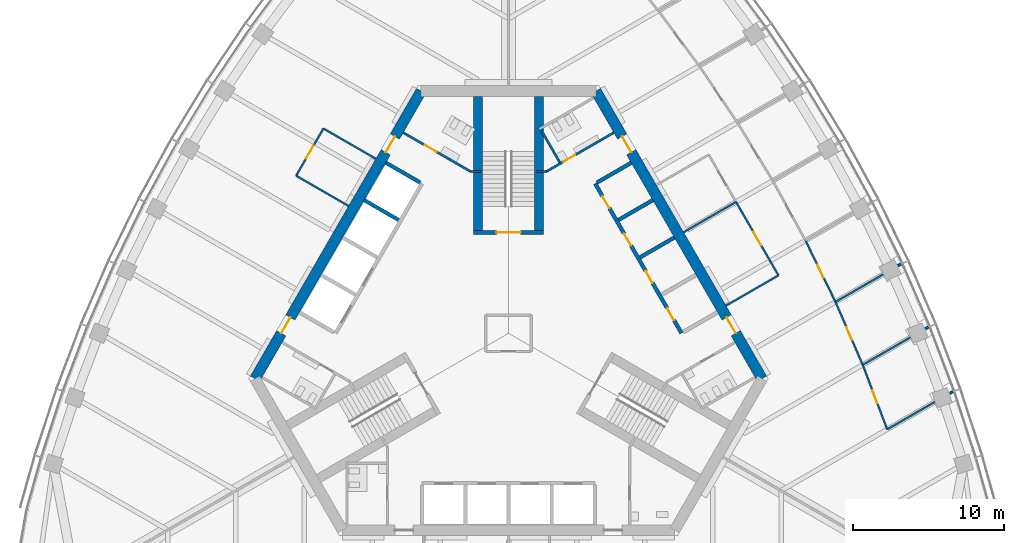
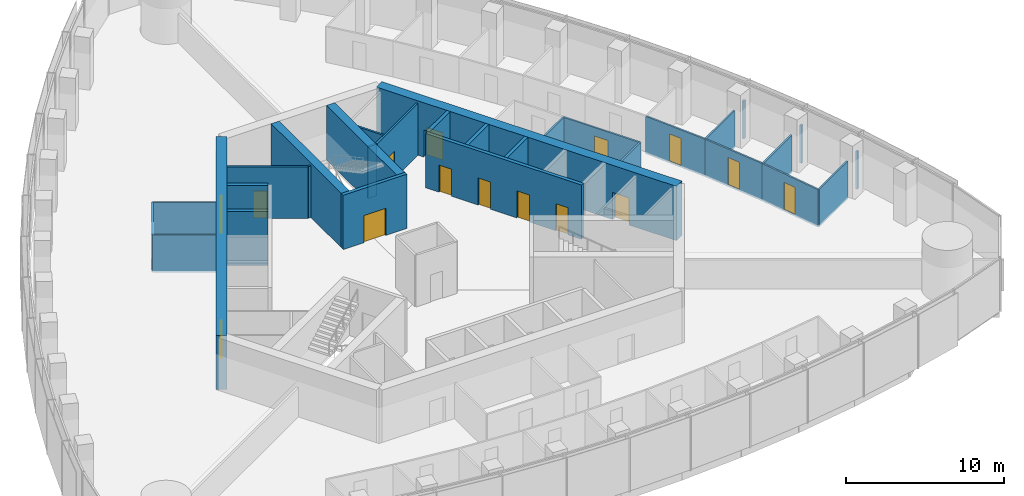
# One storey, part 13 of 19: 31 walls, 16 doors, 16 openings.
"""IFC4 building model written with IfcOpenShell, lengths in metres."""

import ifcopenshell
import ifcopenshell.guid

model = None  # the IFC model being written
_history = None  # IfcOwnerHistory: only IFC2X3 demands one
_inside = {}  # id of a spatial element -> (the spatial element, [elements in it])
_under = {}  # id of a project, library or spatial element -> (it, [spatial elements below it])
_declared = {}  # id of a project -> (the project, [libraries it declares])
_typed = {}  # id of a type object -> (the type object, [elements of that type])
_made_of = {}  # id of a material, layer set ... -> (it, [elements and type objects made of it])


def new_model(schema):
    """Start an empty IFC model of exactly this schema.

    Asked for "IFC4X3", IfcOpenShell would pick the latest addendum, in which some entities
    have other attributes; the version numbers below select the first issue.
    IFC2X3 requires an IfcOwnerHistory on every rooted entity: one is made here for all.
    """
    global model, _history
    if schema == "IFC4X3":
        model = ifcopenshell.file(schema_version=(4, 3, 0, 0))
    else:
        model = ifcopenshell.file(schema=schema)
    _inside.clear()
    _under.clear()
    _declared.clear()
    _typed.clear()
    _made_of.clear()
    _history = None
    if model.schema == "IFC2X3":
        org = make("IfcOrganization", Name="unknown")
        user = make(
            "IfcPersonAndOrganization",
            ThePerson=make("IfcPerson", FamilyName="unknown"),
            TheOrganization=org,
        )
        app = make(
            "IfcApplication",
            ApplicationDeveloper=org,
            Version="unknown",
            ApplicationFullName="unknown",
            ApplicationIdentifier="unknown",
        )
        _history = make(
            "IfcOwnerHistory",
            OwningUser=user,
            OwningApplication=app,
            ChangeAction="ADDED",
            CreationDate=0,
        )
    return model


def make(cls, **values):
    """One entity of the class cls with the attributes given. An attribute that is None is left unset."""
    return model.create_entity(
        cls, **{name: value for name, value in values.items() if value is not None}
    )


def rooted(cls, **values):
    """An entity with a GlobalId (a new one), such as an element, a storey or a relation."""
    return make(cls, GlobalId=ifcopenshell.guid.new(), OwnerHistory=_history, **values)


def si_unit(unit_type, name, prefix=None):
    """IfcSIUnit, for example si_unit("LENGTHUNIT", "METRE", prefix="MILLI")."""
    return make("IfcSIUnit", UnitType=unit_type, Prefix=prefix, Name=name)


def assignment(units):
    """IfcUnitAssignment: the units of a project."""
    return None if units is None else make("IfcUnitAssignment", Units=units)


def point(xyz):
    """IfcCartesianPoint."""
    return None if xyz is None else make("IfcCartesianPoint", Coordinates=xyz)


def direction(xyz):
    """IfcDirection."""
    return None if xyz is None else make("IfcDirection", DirectionRatios=xyz)


def frame(location, z_axis=None, x_axis=None):
    """IfcAxis2Placement3D, a coordinate frame: its origin and axes. An axis left out is left unset."""
    return make(
        "IfcAxis2Placement3D",
        Location=point(location),
        Axis=direction(z_axis),
        RefDirection=direction(x_axis),
    )


def frame_2d(location, x_axis=None):
    """IfcAxis2Placement2D, a coordinate frame in the plane: its origin and x axis."""
    return make(
        "IfcAxis2Placement2D", Location=point(location), RefDirection=direction(x_axis)
    )


def origin():
    """The frame at (0, 0, 0) with its axes left unset."""
    return frame((0.0, 0.0, 0.0))


def place(relative_to, where):
    """IfcLocalPlacement: puts the frame where relative to a parent placement (None: the world)."""
    return make(
        "IfcLocalPlacement", PlacementRelTo=relative_to, RelativePlacement=where
    )


def context(
    kind, dimensions, precision=None, world=None, true_north=None, identifier=None
):
    """IfcGeometricRepresentationContext, for example the 3D "Model" context."""
    return make(
        "IfcGeometricRepresentationContext",
        ContextIdentifier=identifier,
        ContextType=kind,
        CoordinateSpaceDimension=dimensions,
        Precision=precision,
        WorldCoordinateSystem=world,
        TrueNorth=true_north,
    )


def subcontext(parent, identifier, kind, view, scale=None):
    """IfcGeometricRepresentationSubContext, for example "Body" below "Model"."""
    return make(
        "IfcGeometricRepresentationSubContext",
        ContextIdentifier=identifier,
        ContextType=kind,
        ParentContext=parent,
        TargetScale=scale,
        TargetView=view,
    )


def project(units=None, contexts=None):
    """IfcProject with its units and contexts."""
    return rooted(
        "IfcProject",
        Name="project",
        RepresentationContexts=contexts,
        UnitsInContext=assignment(units),
    )


def spatial(cls, under=None, at=None, **own):
    """A site, building, storey or space (cls), placed at a placement, below another one or the project."""
    s = rooted(cls, ObjectPlacement=at, **own)
    if under is not None:
        _under.setdefault(under.id(), (under, []))[1].append(s)
    return s


def profile(cls, at=None, kind="AREA", **sizes):
    """A parametric profile (cls). Its sizes go by their IFC names, for example OverallWidth=200.0."""
    return make(cls, ProfileType=kind, Position=at, **sizes)


def rectangle(**sizes):
    """IfcRectangleProfileDef."""
    return profile("IfcRectangleProfileDef", **sizes)


def extrude(swept, where, along, depth):
    """IfcExtrudedAreaSolid: the profile swept, set in the frame where, extruded along a direction by depth."""
    return make(
        "IfcExtrudedAreaSolid",
        SweptArea=swept,
        Position=where,
        ExtrudedDirection=direction(along),
        Depth=depth,
    )


def shape(context_of_items, identifier, shape_type, items):
    """IfcShapeRepresentation: the items that make up one representation, for example the "Body"."""
    return make(
        "IfcShapeRepresentation",
        ContextOfItems=context_of_items,
        RepresentationIdentifier=identifier,
        RepresentationType=shape_type,
        Items=items,
    )


def material(Name=None, Category=None):
    """IfcMaterial."""
    return make("IfcMaterial", Name=Name, Category=Category)


def layer(
    of_material, thickness, ventilated=None, Name=None, Category=None, Priority=None
):
    """IfcMaterialLayer: one layer of a wall or slab, of a material (None: an air gap)."""
    return make(
        "IfcMaterialLayer",
        Material=of_material,
        LayerThickness=thickness,
        IsVentilated=ventilated,
        Name=Name,
        Category=Category,
        Priority=Priority,
    )


def layer_set(layers, Name=None):
    """IfcMaterialLayerSet."""
    return make("IfcMaterialLayerSet", MaterialLayers=layers, LayerSetName=Name)


def made_of(thing, what):
    """Note that an element or type object is made of a material, layer set ...; save() writes the relation."""
    if what is not None:
        _made_of.setdefault(what.id(), (what, []))[1].append(thing)
    return thing


def type_object(cls, material=None, **own):
    """A type object (cls), such as IfcWallType, which elements share."""
    return made_of(rooted(cls, **own), material)


def element(
    cls,
    number,
    at=None,
    inside=None,
    cuts=None,
    type_object=None,
    material=None,
    context=None,
    identifier="Body",
    shape_type=None,
    held_by="IfcProductDefinitionShape",
    body=None,
    shapes=None,
    **own,
):
    """One element of the class cls, such as IfcWall. Its Tag is "e" and its number.

    at: its placement. inside: the storey or other place that contains it. cuts: it is an
    opening in that element (IfcRelVoidsElement). A single representation is given by context,
    identifier, shape_type and body (its items); several are given by shapes. held_by: the class
    of the entity that holds the representations. save() writes the other relations.
    """
    e = rooted(cls, Tag="e%d" % number, ObjectPlacement=at, **own)
    if body is not None:
        shapes = [shape(context, identifier, shape_type, body)]
    if shapes is not None:
        e.Representation = make(held_by, Representations=shapes)
    if inside is not None:
        _inside.setdefault(inside.id(), (inside, []))[1].append(e)
    if cuts is not None:
        rooted(
            "IfcRelVoidsElement", RelatingBuildingElement=cuts, RelatedOpeningElement=e
        )
    if type_object is not None:
        _typed.setdefault(type_object.id(), (type_object, []))[1].append(e)
    return made_of(e, material)


def fill(opening, filler):
    """IfcRelFillsElement: the door or window that sits in an opening."""
    return rooted(
        "IfcRelFillsElement",
        RelatingOpeningElement=opening,
        RelatedBuildingElement=filler,
    )


def aggregate(whole, parts):
    """IfcRelAggregates: a whole, such as a stair, and the parts it consists of."""
    return rooted("IfcRelAggregates", RelatingObject=whole, RelatedObjects=parts)


def save(model, path):
    """Write the relations noted so far, then the file.

    IfcRelAggregates (storeys below a building ...), IfcRelContainedInSpatialStructure (elements
    in a storey), IfcRelDefinesByType, IfcRelAssociatesMaterial and IfcRelDeclares: one each for
    every whole, place, type object, material and project.
    """
    for whole, parts in _under.values():
        aggregate(whole, parts)
    for where, things in _inside.values():
        rooted(
            "IfcRelContainedInSpatialStructure",
            RelatedElements=things,
            RelatingStructure=where,
        )
    for kind, things in _typed.values():
        rooted("IfcRelDefinesByType", RelatedObjects=things, RelatingType=kind)
    for what, things in _made_of.values():
        rooted("IfcRelAssociatesMaterial", RelatedObjects=things, RelatingMaterial=what)
    for by, libraries in _declared.values():
        rooted("IfcRelDeclares", RelatingContext=by, RelatedDefinitions=libraries)
    model.write(path)


model = new_model("IFC4")

# Units and contexts
model_context = context("Model", 3, precision=1e-05, world=origin(), true_north=direction((0.0, 1.0)))
body_context = subcontext(model_context, "Body", "Model", "MODEL_VIEW")
ifc_project = project(units=[si_unit("LENGTHUNIT", "METRE"), si_unit("AREAUNIT", "SQUARE_METRE"), si_unit("VOLUMEUNIT", "CUBIC_METRE"), si_unit("PLANEANGLEUNIT", "RADIAN"), si_unit("MASSUNIT", "GRAM", prefix="KILO")], contexts=[model_context])

# Site, building, storey
site_placement = place(None, origin())
site = spatial("IfcSite", under=ifc_project, at=site_placement, CompositionType="ELEMENT")
building_placement = place(site_placement, origin())
building = spatial("IfcBuilding", under=site, at=building_placement, Name="Trefoil Bronze Tower", CompositionType="ELEMENT")
storey_placement = place(building_placement, frame((0.0, 0.0, 235.89990234375)))
storey = spatial("IfcBuildingStorey", under=building, at=storey_placement, Name="L54", CompositionType="ELEMENT", Elevation=235.89990234375)

# Wall, openings, doors
ifc_material_1 = material(Name="Concrete B80", Category="concrete")
ifc_layer_1 = layer(ifc_material_1, 0.699951171875)
ifc_layer_set_1 = layer_set([ifc_layer_1], Name="Core wall 700")
wall_type_1 = type_object("IfcWallType", Name="Core wall 700", PredefinedType="SHEAR", material=ifc_layer_set_1)
wall_1_placement = place(storey_placement, frame((16.7431640625, -3.0, 0.0), z_axis=(0.0, 0.0, 1.0), x_axis=(-0.500002442456, 0.866023993627, 0.0)))
wall_1 = element("IfcWall", 1, at=wall_1_placement, inside=storey, type_object=wall_type_1, Name="Core long wall 2 L54", PredefinedType="SHEAR", context=body_context, shape_type="SweptSolid", body=[
    extrude(rectangle(XDim=21.939453125, YDim=0.699951171875, at=frame_2d((10.9697265625, 0.0))), origin(), (0.0, 0.0, 1.0), 4.2001953125),
])
opening_1_placement = place(wall_1_placement, frame((17.269775390625, 0.0, 0.0)))
opening_1 = element("IfcOpeningElement", 2, at=opening_1_placement, cuts=wall_1, Name="Opening D2", PredefinedType="OPENING", context=body_context, shape_type="SweptSolid", body=[
    extrude(rectangle(XDim=1.199951171875, YDim=2.10009765625, at=frame_2d((0.60009765625, 1.050048828125))), frame((0.0, 0.35986328125, 0.0), z_axis=(0.0, -1.0, 0.0), x_axis=(1.0, 0.0, 0.0)), (0.0, 0.0, 1.0), 0.719970703125),
])
opening_2_placement = place(wall_1_placement, frame((3.4697265625, 0.0, 0.0)))
opening_2 = element("IfcOpeningElement", 3, at=opening_2_placement, cuts=wall_1, Name="Opening D2", PredefinedType="OPENING", context=body_context, shape_type="SweptSolid", body=[
    extrude(rectangle(XDim=1.199951171875, YDim=2.10009765625, at=frame_2d((0.60009765625, 1.050048828125))), frame((0.0, 0.35986328125, 0.0), z_axis=(0.0, -1.0, 0.0), x_axis=(1.0, 0.0, 0.0)), (0.0, 0.0, 1.0), 0.719970703125),
])
ifc_material_2 = material(Name="Steel door", Category="steel")
door_type_1 = type_object("IfcDoorType", Name="Lobby door 1200", OperationType="SINGLE_SWING_RIGHT", PredefinedType="DOOR", material=ifc_material_2)
door_1_placement = place(opening_1_placement, origin())
door_1 = element("IfcDoor", 4, at=door_1_placement, inside=storey, type_object=door_type_1, Name="Lobby door F2+ L54", OperationType="SINGLE_SWING_RIGHT", OverallHeight=2.10009765625, OverallWidth=1.199951171875, PredefinedType="DOOR", context=body_context, shape_type="SweptSolid", body=[
    extrude(rectangle(XDim=1.199951171875, YDim=2.10009765625, at=frame_2d((0.60009765625, 1.050048828125))), frame((0.0, 0.02490234375, 0.0), z_axis=(0.0, -1.0, 0.0), x_axis=(1.0, 0.0, 0.0)), (0.0, 0.0, 1.0), 0.050048828125),
])
fill(opening_1, door_1)
door_2_placement = place(opening_2_placement, origin())
door_2 = element("IfcDoor", 5, at=door_2_placement, inside=storey, type_object=door_type_1, Name="Lobby door F2- L54", OperationType="SINGLE_SWING_LEFT", OverallHeight=2.10009765625, OverallWidth=1.199951171875, PredefinedType="DOOR", context=body_context, shape_type="SweptSolid", body=[
    extrude(rectangle(XDim=1.199951171875, YDim=2.10009765625, at=frame_2d((0.60009765625, 1.050048828125))), frame((0.0, 0.02490234375, 0.0), z_axis=(0.0, -1.0, 0.0), x_axis=(1.0, 0.0, 0.0)), (0.0, 0.0, 1.0), 0.050048828125),
])
fill(opening_2, door_2)

wall_2_placement = place(storey_placement, frame((-5.7734375, 16.0, 0.0), z_axis=(0.0, 0.0, 1.0), x_axis=(-0.500002442456, -0.866023993627, 0.0)))
wall_2 = element("IfcWall", 6, at=wall_2_placement, inside=storey, type_object=wall_type_1, Name="Core long wall 3 L54", PredefinedType="SHEAR", context=body_context, shape_type="SweptSolid", body=[
    extrude(rectangle(XDim=21.939453125, YDim=0.699951171875, at=frame_2d((10.9697265625, 0.0))), origin(), (0.0, 0.0, 1.0), 4.2001953125),
])
opening_3_placement = place(wall_2_placement, frame((17.269775390625, 0.0, 0.0)))
opening_3 = element("IfcOpeningElement", 7, at=opening_3_placement, cuts=wall_2, Name="Opening D2", PredefinedType="OPENING", context=body_context, shape_type="SweptSolid", body=[
    extrude(rectangle(XDim=1.199951171875, YDim=2.10009765625, at=frame_2d((0.60009765625, 1.050048828125))), frame((0.0, 0.35986328125, 0.0), z_axis=(0.0, -1.0, 0.0), x_axis=(1.0, 0.0, 0.0)), (0.0, 0.0, 1.0), 0.719970703125),
])
opening_4_placement = place(wall_2_placement, frame((3.4697265625, 0.0, 0.0)))
opening_4 = element("IfcOpeningElement", 8, at=opening_4_placement, cuts=wall_2, Name="Opening D2", PredefinedType="OPENING", context=body_context, shape_type="SweptSolid", body=[
    extrude(rectangle(XDim=1.199951171875, YDim=2.10009765625, at=frame_2d((0.60009765625, 1.050048828125))), frame((0.0, 0.35986328125, 0.0), z_axis=(0.0, -1.0, 0.0), x_axis=(1.0, 0.0, 0.0)), (0.0, 0.0, 1.0), 0.719970703125),
])
door_3_placement = place(opening_3_placement, origin())
door_3 = element("IfcDoor", 9, at=door_3_placement, inside=storey, type_object=door_type_1, Name="Lobby door F3+ L54", OperationType="SINGLE_SWING_RIGHT", OverallHeight=2.10009765625, OverallWidth=1.199951171875, PredefinedType="DOOR", context=body_context, shape_type="SweptSolid", body=[
    extrude(rectangle(XDim=1.199951171875, YDim=2.10009765625, at=frame_2d((0.60009765625, 1.050048828125))), frame((0.0, 0.02490234375, 0.0), z_axis=(0.0, -1.0, 0.0), x_axis=(1.0, 0.0, 0.0)), (0.0, 0.0, 1.0), 0.050048828125),
])
fill(opening_3, door_3)
door_4_placement = place(opening_4_placement, origin())
door_4 = element("IfcDoor", 10, at=door_4_placement, inside=storey, type_object=door_type_1, Name="Lobby door F3- L54", OperationType="SINGLE_SWING_LEFT", OverallHeight=2.10009765625, OverallWidth=1.199951171875, PredefinedType="DOOR", context=body_context, shape_type="SweptSolid", body=[
    extrude(rectangle(XDim=1.199951171875, YDim=2.10009765625, at=frame_2d((0.60009765625, 1.050048828125))), frame((0.0, 0.02490234375, 0.0), z_axis=(0.0, -1.0, 0.0), x_axis=(1.0, 0.0, 0.0)), (0.0, 0.0, 1.0), 0.050048828125),
])
fill(opening_4, door_4)

# Wall, opening, door
ifc_material_3 = material(Name="Glazed partition", Category="glass")
ifc_layer_2 = layer(ifc_material_3, 0.1201171875)
ifc_layer_set_2 = layer_set([ifc_layer_2], Name="Glazed partition 120")
wall_type_2 = type_object("IfcWallType", Name="Glazed partition 120", PredefinedType="PARTITIONING", material=ifc_layer_set_2)
wall_3_placement = place(storey_placement, frame((17.825439453125, 3.8251953125, 0.0), z_axis=(0.0, 0.0, 1.0), x_axis=(-0.499965239061, 0.866045472092, 0.0)))
wall_3 = element("IfcWall", 11, at=wall_3_placement, inside=storey, type_object=wall_type_2, Name="Partition F2 L54", PredefinedType="PARTITIONING", context=body_context, shape_type="SweptSolid", body=[
    extrude(rectangle(XDim=5.60009765625, YDim=0.1201171875, at=frame_2d((2.800048828125, 0.0))), origin(), (0.0, 0.0, 1.0), 2.900146484375),
])
opening_5_placement = place(wall_3_placement, frame((2.300048828125, 0.0, 0.14990234375)))
opening_5 = element("IfcOpeningElement", 12, at=opening_5_placement, cuts=wall_3, Name="Opening D9", PredefinedType="OPENING", context=body_context, shape_type="SweptSolid", body=[
    extrude(rectangle(XDim=1.0, YDim=2.10009765625, at=frame_2d((0.5, 1.050048828125))), frame((0.0, 0.070068359375, 0.0), z_axis=(0.0, -1.0, 0.0), x_axis=(1.0, 0.0, 0.0)), (0.0, 0.0, 1.0), 0.14013671875),
])
ifc_material_4 = material(Name="Glazed timber door", Category="wood")
door_type_2 = type_object("IfcDoorType", Name="Meeting room door 1000", OperationType="SINGLE_SWING_LEFT", PredefinedType="DOOR", material=ifc_material_4)
door_5_placement = place(opening_5_placement, origin())
door_5 = element("IfcDoor", 13, at=door_5_placement, inside=storey, type_object=door_type_2, Name="Meeting room door F2 L54", OperationType="SINGLE_SWING_RIGHT", OverallHeight=2.10009765625, OverallWidth=1.0, PredefinedType="DOOR", context=body_context, shape_type="SweptSolid", body=[
    extrude(rectangle(XDim=1.0, YDim=2.10009765625, at=frame_2d((0.5, 1.050048828125))), frame((0.0, 0.02490234375, 0.0), z_axis=(0.0, -1.0, 0.0), x_axis=(1.0, 0.0, 0.0)), (0.0, 0.0, 1.0), 0.050048828125),
])
fill(opening_5, door_5)

# Walls
for number, where, z_axis, x_axis, name in (
    (14, (11.5615234375, 6.675048828125, 0.0), (0.0, 0.0, 1.0), (0.866026010844, 0.49999894854, 0.0), "Partition F2 L54"),
    (15, (14.361328125, 1.8251953125, 0.0), (0.0, 0.0, 1.0), (0.866026010844, 0.49999894854, 0.0), "Partition F2 L54"),
):
    element("IfcWall", number, at=place(storey_placement, frame(where, z_axis=z_axis, x_axis=x_axis)), inside=storey, type_object=wall_type_2, Name=name, PredefinedType="PARTITIONING", context=body_context, shape_type="SweptSolid", body=[
        extrude(rectangle(XDim=4.0, YDim=0.1201171875, at=frame_2d((2.0, 0.0))), origin(), (0.0, 0.0, 1.0), 2.900146484375),
    ])

# Wall, opening, door
wall_4_placement = place(storey_placement, frame((23.3916015625, -2.083251953125, 0.0), z_axis=(0.0, 0.0, 1.0), x_axis=(-0.397208101111, 0.917728567939, 0.0)))
wall_4 = element("IfcWall", 16, at=wall_4_placement, inside=storey, type_object=wall_type_2, Name="Partition F2 L54", PredefinedType="PARTITIONING", context=body_context, shape_type="SweptSolid", body=[
    extrude(rectangle(XDim=4.530029296875, YDim=0.1201171875, at=frame_2d((2.26513671875, 0.0))), origin(), (0.0, 0.0, 1.0), 2.900146484375),
])
opening_6_placement = place(wall_4_placement, frame((1.800048828125, 0.0, 0.14990234375)))
opening_6 = element("IfcOpeningElement", 17, at=opening_6_placement, cuts=wall_4, Name="Opening D8", PredefinedType="OPENING", context=body_context, shape_type="SweptSolid", body=[
    extrude(rectangle(XDim=0.89990234375, YDim=2.10009765625, at=frame_2d((0.449951171875, 1.050048828125))), frame((0.0, 0.070068359375, 0.0), z_axis=(0.0, -1.0, 0.0), x_axis=(1.0, 0.0, 0.0)), (0.0, 0.0, 1.0), 0.14013671875),
])
ifc_material_5 = material(Name="Timber door", Category="wood")
door_type_3 = type_object("IfcDoorType", Name="Office door 900", OperationType="SINGLE_SWING_LEFT", PredefinedType="DOOR", material=ifc_material_5)
door_6_placement = place(opening_6_placement, frame((0.89990234375, 0.0, 0.0), z_axis=(0.0, 0.0, 1.0), x_axis=(-1.0, 0.0, 0.0)))
door_6 = element("IfcDoor", 18, at=door_6_placement, inside=storey, type_object=door_type_3, Name="Office door F2 L54", OperationType="SINGLE_SWING_RIGHT", OverallHeight=2.10009765625, OverallWidth=0.89990234375, PredefinedType="DOOR", context=body_context, shape_type="SweptSolid", body=[
    extrude(rectangle(XDim=0.89990234375, YDim=2.10009765625, at=frame_2d((0.449951171875, 1.050048828125))), frame((0.0, 0.02490234375, 0.0), z_axis=(0.0, -1.0, 0.0), x_axis=(1.0, 0.0, 0.0)), (0.0, 0.0, 1.0), 0.050048828125),
])
fill(opening_6, door_6)

wall_5_placement = place(storey_placement, frame((25.006591796875, -6.346923828125, 0.0), z_axis=(0.0, 0.0, 1.0), x_axis=(-0.354219967303, 0.935162132875, 0.0)))
wall_5 = element("IfcWall", 19, at=wall_5_placement, inside=storey, type_object=wall_type_2, Name="Partition F2 L54", PredefinedType="PARTITIONING", context=body_context, shape_type="SweptSolid", body=[
    extrude(rectangle(XDim=4.559326171875, YDim=0.1201171875, at=frame_2d((2.27978515625, 0.0))), origin(), (0.0, 0.0, 1.0), 2.900146484375),
])
opening_7_placement = place(wall_5_placement, frame((1.85009765625, 0.0, 0.14990234375)))
opening_7 = element("IfcOpeningElement", 20, at=opening_7_placement, cuts=wall_5, Name="Opening D8", PredefinedType="OPENING", context=body_context, shape_type="SweptSolid", body=[
    extrude(rectangle(XDim=0.89990234375, YDim=2.10009765625, at=frame_2d((0.449951171875, 1.050048828125))), frame((0.0, 0.070068359375, 0.0), z_axis=(0.0, -1.0, 0.0), x_axis=(1.0, 0.0, 0.0)), (0.0, 0.0, 1.0), 0.14013671875),
])
door_7_placement = place(opening_7_placement, frame((0.89990234375, 0.0, 0.0), z_axis=(0.0, 0.0, 1.0), x_axis=(-1.0, 0.0, 0.0)))
door_7 = element("IfcDoor", 21, at=door_7_placement, inside=storey, type_object=door_type_3, Name="Office door F2 L54", OperationType="SINGLE_SWING_LEFT", OverallHeight=2.10009765625, OverallWidth=0.89990234375, PredefinedType="DOOR", context=body_context, shape_type="SweptSolid", body=[
    extrude(rectangle(XDim=0.89990234375, YDim=2.10009765625, at=frame_2d((0.449951171875, 1.050048828125))), frame((0.0, 0.02490234375, 0.0), z_axis=(0.0, -1.0, 0.0), x_axis=(1.0, 0.0, 0.0)), (0.0, 0.0, 1.0), 0.050048828125),
])
fill(opening_7, door_7)

wall_6_placement = place(storey_placement, frame((21.59228515625, 2.073974609375, 0.0), z_axis=(0.0, 0.0, 1.0), x_axis=(-0.439163535873, 0.898407139753, 0.0)))
wall_6 = element("IfcWall", 22, at=wall_6_placement, inside=storey, type_object=wall_type_2, Name="Partition F2 L54", PredefinedType="PARTITIONING", context=body_context, shape_type="SweptSolid", body=[
    extrude(rectangle(XDim=4.5107421875, YDim=0.1201171875, at=frame_2d((2.25537109375, 0.0))), origin(), (0.0, 0.0, 1.0), 2.900146484375),
])
opening_8_placement = place(wall_6_placement, frame((1.800048828125, 0.0, 0.14990234375)))
opening_8 = element("IfcOpeningElement", 23, at=opening_8_placement, cuts=wall_6, Name="Opening D8", PredefinedType="OPENING", context=body_context, shape_type="SweptSolid", body=[
    extrude(rectangle(XDim=0.89990234375, YDim=2.10009765625, at=frame_2d((0.449951171875, 1.050048828125))), frame((0.0, 0.070068359375, 0.0), z_axis=(0.0, -1.0, 0.0), x_axis=(1.0, 0.0, 0.0)), (0.0, 0.0, 1.0), 0.14013671875),
])
door_8_placement = place(opening_8_placement, frame((0.89990234375, 0.0, 0.0), z_axis=(0.0, 0.0, 1.0), x_axis=(-1.0, 0.0, 0.0)))
door_8 = element("IfcDoor", 24, at=door_8_placement, inside=storey, type_object=door_type_3, Name="Office door F2 L54", OperationType="SINGLE_SWING_RIGHT", OverallHeight=2.10009765625, OverallWidth=0.89990234375, PredefinedType="DOOR", context=body_context, shape_type="SweptSolid", body=[
    extrude(rectangle(XDim=0.89990234375, YDim=2.10009765625, at=frame_2d((0.449951171875, 1.050048828125))), frame((0.0, 0.02490234375, 0.0), z_axis=(0.0, -1.0, 0.0), x_axis=(1.0, 0.0, 0.0)), (0.0, 0.0, 1.0), 0.050048828125),
])
fill(opening_8, door_8)

# Walls
wall_7_placement = place(storey_placement, frame((23.3916015625, -2.083251953125, 0.0), z_axis=(0.0, 0.0, 1.0), x_axis=(0.866042310294, 0.499970715924, 0.0)))
element("IfcWall", 25, at=wall_7_placement, inside=storey, type_object=wall_type_2, Name="Partition F2 L54", PredefinedType="PARTITIONING", context=body_context, shape_type="SweptSolid", body=[
    extrude(rectangle(XDim=3.632080078125, YDim=0.1201171875, at=frame_2d((1.81591796875, 0.0))), origin(), (0.0, 0.0, 1.0), 2.900146484375),
])
wall_8_placement = place(storey_placement, frame((25.006591796875, -6.346923828125, 0.0), z_axis=(0.0, 0.0, 1.0), x_axis=(0.866031793627, 0.499988932305, 0.0)))
element("IfcWall", 26, at=wall_8_placement, inside=storey, type_object=wall_type_2, Name="Partition F2 L54", PredefinedType="PARTITIONING", context=body_context, shape_type="SweptSolid", body=[
    extrude(rectangle(XDim=3.62158203125, YDim=0.1201171875, at=frame_2d((1.810791015625, 0.0))), origin(), (0.0, 0.0, 1.0), 2.900146484375),
])
wall_9_placement = place(storey_placement, frame((21.59228515625, 2.073974609375, 0.0), z_axis=(0.0, 0.0, 1.0), x_axis=(0.866025828632, 0.499999264141, 0.0)))
element("IfcWall", 27, at=wall_9_placement, inside=storey, type_object=wall_type_2, Name="Partition F2 L54", PredefinedType="PARTITIONING", context=body_context, shape_type="SweptSolid", body=[
    extrude(rectangle(XDim=3.63916015625, YDim=0.1201171875, at=frame_2d((1.819580078125, 0.0))), origin(), (0.0, 0.0, 1.0), 2.900146484375),
])

# Wall, opening, door
wall_10_placement = place(storey_placement, frame((-12.2255859375, 13.524658203125, 0.0), z_axis=(0.0, 0.0, 1.0), x_axis=(-0.500012057535, -0.866018442252, 0.0)))
wall_10 = element("IfcWall", 28, at=wall_10_placement, inside=storey, type_object=wall_type_2, Name="Partition F3 L54", PredefinedType="PARTITIONING", context=body_context, shape_type="SweptSolid", body=[
    extrude(rectangle(XDim=3.60009765625, YDim=0.1201171875, at=frame_2d((1.800048828125, 0.0))), origin(), (0.0, 0.0, 1.0), 2.900146484375),
])
opening_9_placement = place(wall_10_placement, frame((1.300048828125, 0.0, 0.14990234375)))
opening_9 = element("IfcOpeningElement", 29, at=opening_9_placement, cuts=wall_10, Name="Opening D9", PredefinedType="OPENING", context=body_context, shape_type="SweptSolid", body=[
    extrude(rectangle(XDim=1.0, YDim=2.10009765625, at=frame_2d((0.5, 1.050048828125))), frame((0.0, 0.070068359375, 0.0), z_axis=(0.0, -1.0, 0.0), x_axis=(1.0, 0.0, 0.0)), (0.0, 0.0, 1.0), 0.14013671875),
])
door_9_placement = place(opening_9_placement, origin())
door_9 = element("IfcDoor", 30, at=door_9_placement, inside=storey, type_object=door_type_2, Name="Meeting room door F3 L54", OperationType="SINGLE_SWING_RIGHT", OverallHeight=2.10009765625, OverallWidth=1.0, PredefinedType="DOOR", context=body_context, shape_type="SweptSolid", body=[
    extrude(rectangle(XDim=1.0, YDim=2.10009765625, at=frame_2d((0.5, 1.050048828125))), frame((0.0, 0.02490234375, 0.0), z_axis=(0.0, -1.0, 0.0), x_axis=(1.0, 0.0, 0.0)), (0.0, 0.0, 1.0), 0.050048828125),
])
fill(opening_9, door_9)

# Walls
for number, where, z_axis, x_axis, name in (
    (31, (-10.5615234375, 8.406982421875, 0.0), (0.0, 0.0, 1.0), (-0.866026010844, 0.49999894854, 0.0), "Partition F3 L54"),
    (32, (-8.761474609375, 11.524658203125, 0.0), (0.0, 0.0, 1.0), (-0.866026010844, 0.49999894854, 0.0), "Partition F3 L54"),
):
    element("IfcWall", number, at=place(storey_placement, frame(where, z_axis=z_axis, x_axis=x_axis)), inside=storey, type_object=wall_type_2, Name=name, PredefinedType="PARTITIONING", context=body_context, shape_type="SweptSolid", body=[
        extrude(rectangle(XDim=4.0, YDim=0.1201171875, at=frame_2d((2.0, 0.0))), origin(), (0.0, 0.0, 1.0), 2.900146484375),
    ])

# Wall, opening, door
ifc_material_6 = material(Name="Gypsum board on steel studs", Category="steel")
ifc_layer_3 = layer(ifc_material_6, 0.14990234375)
ifc_layer_set_3 = layer_set([ifc_layer_3], Name="Partition 150")
wall_type_3 = type_object("IfcWallType", Name="Partition 150", PredefinedType="PARTITIONING", material=ifc_layer_set_3)
wall_11_placement = place(storey_placement, frame((2.4951171875, 10.67822265625, 0.0), z_axis=(0.0, 0.0, 1.0), x_axis=(0.866037967349, 0.499978238636, 0.0)))
wall_11 = element("IfcWall", 33, at=wall_11_placement, inside=storey, type_object=wall_type_3, Name="Passage wall F2+ L54", PredefinedType="PARTITIONING", context=body_context, shape_type="SweptSolid", body=[
    extrude(rectangle(XDim=5.150146484375, YDim=0.14990234375, at=frame_2d((2.5751953125, 0.0))), origin(), (0.0, 0.0, 1.0), 4.0),
])
opening_10_placement = place(wall_11_placement, frame((1.300048828125, 0.0, 0.0)))
opening_10 = element("IfcOpeningElement", 34, at=opening_10_placement, cuts=wall_11, Name="Opening D3", PredefinedType="OPENING", context=body_context, shape_type="SweptSolid", body=[
    extrude(rectangle(XDim=0.89990234375, YDim=2.10009765625, at=frame_2d((0.449951171875, 1.050048828125))), frame((0.0, 0.0849609375, 0.0), z_axis=(0.0, -1.0, 0.0), x_axis=(1.0, 0.0, 0.0)), (0.0, 0.0, 1.0), 0.169921875),
])
ifc_material_7 = material(Name="Timber door", Category="wood")
door_type_4 = type_object("IfcDoorType", Name="WC door 900", OperationType="SINGLE_SWING_LEFT", PredefinedType="DOOR", material=ifc_material_7)
door_10_placement = place(opening_10_placement, origin())
door_10 = element("IfcDoor", 35, at=door_10_placement, inside=storey, type_object=door_type_4, Name="WC (men) door L54", OperationType="SINGLE_SWING_LEFT", OverallHeight=2.10009765625, OverallWidth=0.89990234375, PredefinedType="DOOR", context=body_context, shape_type="SweptSolid", body=[
    extrude(rectangle(XDim=0.89990234375, YDim=2.10009765625, at=frame_2d((0.449951171875, 1.050048828125))), frame((0.0, 0.02490234375, 0.0), z_axis=(0.0, -1.0, 0.0), x_axis=(1.0, 0.0, 0.0)), (0.0, 0.0, 1.0), 0.050048828125),
])
fill(opening_10, door_10)

wall_12_placement = place(storey_placement, frame((-2.4951171875, 10.67822265625, 0.0), z_axis=(0.0, 0.0, 1.0), x_axis=(-0.866037967349, 0.499978238636, 0.0)))
wall_12 = element("IfcWall", 36, at=wall_12_placement, inside=storey, type_object=wall_type_3, Name="Passage wall F3- L54", PredefinedType="PARTITIONING", context=body_context, shape_type="SweptSolid", body=[
    extrude(rectangle(XDim=5.150146484375, YDim=0.14990234375, at=frame_2d((2.5751953125, 0.0))), origin(), (0.0, 0.0, 1.0), 4.0),
])
opening_11_placement = place(wall_12_placement, frame((2.60009765625, 0.0, 0.0)))
opening_11 = element("IfcOpeningElement", 37, at=opening_11_placement, cuts=wall_12, Name="Opening D3", PredefinedType="OPENING", context=body_context, shape_type="SweptSolid", body=[
    extrude(rectangle(XDim=0.89990234375, YDim=2.10009765625, at=frame_2d((0.449951171875, 1.050048828125))), frame((0.0, 0.0849609375, 0.0), z_axis=(0.0, -1.0, 0.0), x_axis=(1.0, 0.0, 0.0)), (0.0, 0.0, 1.0), 0.169921875),
])
door_11_placement = place(opening_11_placement, frame((0.89990234375, 0.0, 0.0), z_axis=(0.0, 0.0, 1.0), x_axis=(-1.0, 0.0, 0.0)))
door_11 = element("IfcDoor", 38, at=door_11_placement, inside=storey, type_object=door_type_4, Name="WC (women) door L54", OperationType="SINGLE_SWING_LEFT", OverallHeight=2.10009765625, OverallWidth=0.89990234375, PredefinedType="DOOR", context=body_context, shape_type="SweptSolid", body=[
    extrude(rectangle(XDim=0.89990234375, YDim=2.10009765625, at=frame_2d((0.449951171875, 1.050048828125))), frame((0.0, 0.02490234375, 0.0), z_axis=(0.0, -1.0, 0.0), x_axis=(1.0, 0.0, 0.0)), (0.0, 0.0, 1.0), 0.050048828125),
])
fill(opening_11, door_11)

# Walls
for number, where, z_axis, x_axis, name in (
    (39, (2.4951171875, 10.67822265625, 0.0), (0.0, 0.0, 1.0), (-1.0, 0.0, 0.0), "WC wall ST2-1 L54"),
    (40, (-2.4951171875, 10.67822265625, 0.0), (0.0, 0.0, 1.0), (1.0, 0.0, 0.0), "WC wall ST2+1 L54"),
):
    element("IfcWall", number, at=place(storey_placement, frame(where, z_axis=z_axis, x_axis=x_axis)), inside=storey, type_object=wall_type_3, Name=name, PredefinedType="PARTITIONING", context=body_context, shape_type="SweptSolid", body=[
        extrude(rectangle(XDim=0.64501953125, YDim=0.14990234375, at=frame_2d((0.322509765625, 0.0))), origin(), (0.0, 0.0, 1.0), 4.0),
    ])
wall_13_placement = place(storey_placement, frame((3.388671875, 11.28076171875, 0.0), z_axis=(0.0, 0.0, 1.0), x_axis=(-0.499989096993, 0.866031698547, 0.0)))
element("IfcWall", 41, at=wall_13_placement, inside=storey, type_object=wall_type_3, Name="WC partition WC (men) L54", PredefinedType="PARTITIONING", context=body_context, shape_type="SweptSolid", body=[
    extrude(rectangle(XDim=2.509765625, YDim=0.14990234375, at=frame_2d((1.2548828125, 0.0))), origin(), (0.0, 0.0, 1.0), 4.0),
])
wall_14_placement = place(storey_placement, frame((27.538818359375, 0.31103515625, 0.0), z_axis=(0.0, 0.0, 1.0), x_axis=(0.865534352121, 0.500849563539, 0.0)))
element("IfcWall", 42, at=wall_14_placement, inside=storey, type_object=wall_type_3, Name="Partition F2 L54", PredefinedType="PARTITIONING", context=body_context, shape_type="SweptSolid", body=[
    extrude(rectangle(XDim=0.206298828125, YDim=0.14990234375, at=frame_2d((0.10302734375, 0.0))), origin(), (0.0, 0.0, 1.0), 2.900146484375),
])
wall_15_placement = place(storey_placement, frame((29.166015625, -3.945556640625, 0.0), z_axis=(0.0, 0.0, 1.0), x_axis=(0.866439280089, 0.499282459054, 0.0)))
element("IfcWall", 43, at=wall_15_placement, inside=storey, type_object=wall_type_3, Name="Partition F2 L54", PredefinedType="PARTITIONING", context=body_context, shape_type="SweptSolid", body=[
    extrude(rectangle(XDim=0.192138671875, YDim=0.14990234375, at=frame_2d((0.09619140625, 0.0))), origin(), (0.0, 0.0, 1.0), 2.900146484375),
])
wall_16_placement = place(storey_placement, frame((25.724609375, 4.459716796875, 0.0), z_axis=(0.0, 0.0, 1.0), x_axis=(0.865675623716, 0.500605348058, 0.0)))
element("IfcWall", 44, at=wall_16_placement, inside=storey, type_object=wall_type_3, Name="Partition F2 L54", PredefinedType="PARTITIONING", context=body_context, shape_type="SweptSolid", body=[
    extrude(rectangle(XDim=0.223388671875, YDim=0.14990234375, at=frame_2d((0.11181640625, 0.0))), origin(), (0.0, 0.0, 1.0), 2.900146484375),
])

# Wall, openings, doors
ifc_material_8 = material(Name="Concrete B80", Category="concrete")
ifc_layer_4 = layer(ifc_material_8, 0.25)
ifc_layer_set_4 = layer_set([ifc_layer_4], Name="Shaft wall 250")
wall_type_4 = type_object("IfcWallType", Name="Shaft wall 250", PredefinedType="SHEAR", material=ifc_layer_set_4)
wall_17_placement = place(storey_placement, frame((11.423583984375, 0.013671875, 0.0), z_axis=(0.0, 0.0, 1.0), x_axis=(-0.500001763848, 0.866024385424, 0.0)))
wall_17 = element("IfcWall", 45, at=wall_17_placement, inside=storey, type_object=wall_type_4, Name="Lift shaft front wall B L54", PredefinedType="SHEAR", context=body_context, shape_type="SweptSolid", body=[
    extrude(rectangle(XDim=11.39990234375, YDim=0.25, at=frame_2d((5.699951171875, 0.0))), origin(), (0.0, 0.0, 1.0), 4.2001953125),
])
opening_12_placement = place(wall_17_placement, frame((0.97509765625, 0.0, 0.0)))
opening_12 = element("IfcOpeningElement", 46, at=opening_12_placement, cuts=wall_17, Name="Opening D12", PredefinedType="OPENING", context=body_context, shape_type="SweptSolid", body=[
    extrude(rectangle(XDim=0.89990234375, YDim=2.10009765625, at=frame_2d((0.449951171875, 1.050048828125))), frame((0.0, 0.135009765625, 0.0), z_axis=(0.0, -1.0, 0.0), x_axis=(1.0, 0.0, 0.0)), (0.0, 0.0, 1.0), 0.27001953125),
])
opening_13_placement = place(wall_17_placement, frame((3.824951171875, 0.0, 0.0)))
opening_13 = element("IfcOpeningElement", 47, at=opening_13_placement, cuts=wall_17, Name="Opening D12", PredefinedType="OPENING", context=body_context, shape_type="SweptSolid", body=[
    extrude(rectangle(XDim=0.89990234375, YDim=2.10009765625, at=frame_2d((0.449951171875, 1.050048828125))), frame((0.0, 0.135009765625, 0.0), z_axis=(0.0, -1.0, 0.0), x_axis=(1.0, 0.0, 0.0)), (0.0, 0.0, 1.0), 0.27001953125),
])
opening_14_placement = place(wall_17_placement, frame((6.675048828125, 0.0, 0.0)))
opening_14 = element("IfcOpeningElement", 48, at=opening_14_placement, cuts=wall_17, Name="Opening D12", PredefinedType="OPENING", context=body_context, shape_type="SweptSolid", body=[
    extrude(rectangle(XDim=0.89990234375, YDim=2.10009765625, at=frame_2d((0.449951171875, 1.050048828125))), frame((0.0, 0.135009765625, 0.0), z_axis=(0.0, -1.0, 0.0), x_axis=(1.0, 0.0, 0.0)), (0.0, 0.0, 1.0), 0.27001953125),
])
opening_15_placement = place(wall_17_placement, frame((9.52490234375, 0.0, 0.0)))
opening_15 = element("IfcOpeningElement", 49, at=opening_15_placement, cuts=wall_17, Name="Opening D12", PredefinedType="OPENING", context=body_context, shape_type="SweptSolid", body=[
    extrude(rectangle(XDim=0.89990234375, YDim=2.10009765625, at=frame_2d((0.449951171875, 1.050048828125))), frame((0.0, 0.135009765625, 0.0), z_axis=(0.0, -1.0, 0.0), x_axis=(1.0, 0.0, 0.0)), (0.0, 0.0, 1.0), 0.27001953125),
])
ifc_material_9 = material(Name="Steel door", Category="steel")
door_type_5 = type_object("IfcDoorType", Name="Shaft room door 900", OperationType="SINGLE_SWING_LEFT", PredefinedType="DOOR", material=ifc_material_9)
door_12_placement = place(opening_12_placement, frame((0.89990234375, 0.0, 0.0), z_axis=(0.0, 0.0, 1.0), x_axis=(-1.0, 0.0, 0.0)))
door_12 = element("IfcDoor", 50, at=door_12_placement, inside=storey, type_object=door_type_5, Name="Shaft room door B1 L54", OperationType="SINGLE_SWING_LEFT", OverallHeight=2.10009765625, OverallWidth=0.89990234375, PredefinedType="DOOR", context=body_context, shape_type="SweptSolid", body=[
    extrude(rectangle(XDim=0.89990234375, YDim=2.10009765625, at=frame_2d((0.449951171875, 1.050048828125))), frame((0.0, 0.02490234375, 0.0), z_axis=(0.0, -1.0, 0.0), x_axis=(1.0, 0.0, 0.0)), (0.0, 0.0, 1.0), 0.050048828125),
])
fill(opening_12, door_12)
door_13_placement = place(opening_13_placement, frame((0.89990234375, 0.0, 0.0), z_axis=(0.0, 0.0, 1.0), x_axis=(-1.0, 0.0, 0.0)))
door_13 = element("IfcDoor", 51, at=door_13_placement, inside=storey, type_object=door_type_5, Name="Shaft room door B2 L54", OperationType="SINGLE_SWING_RIGHT", OverallHeight=2.10009765625, OverallWidth=0.89990234375, PredefinedType="DOOR", context=body_context, shape_type="SweptSolid", body=[
    extrude(rectangle(XDim=0.89990234375, YDim=2.10009765625, at=frame_2d((0.449951171875, 1.050048828125))), frame((0.0, 0.02490234375, 0.0), z_axis=(0.0, -1.0, 0.0), x_axis=(1.0, 0.0, 0.0)), (0.0, 0.0, 1.0), 0.050048828125),
])
fill(opening_13, door_13)
door_14_placement = place(opening_14_placement, frame((0.89990234375, 0.0, 0.0), z_axis=(0.0, 0.0, 1.0), x_axis=(-1.0, 0.0, 0.0)))
door_14 = element("IfcDoor", 52, at=door_14_placement, inside=storey, type_object=door_type_5, Name="Shaft room door B3 L54", OperationType="SINGLE_SWING_RIGHT", OverallHeight=2.10009765625, OverallWidth=0.89990234375, PredefinedType="DOOR", context=body_context, shape_type="SweptSolid", body=[
    extrude(rectangle(XDim=0.89990234375, YDim=2.10009765625, at=frame_2d((0.449951171875, 1.050048828125))), frame((0.0, 0.02490234375, 0.0), z_axis=(0.0, -1.0, 0.0), x_axis=(1.0, 0.0, 0.0)), (0.0, 0.0, 1.0), 0.050048828125),
])
fill(opening_14, door_14)
door_15_placement = place(opening_15_placement, frame((0.89990234375, 0.0, 0.0), z_axis=(0.0, 0.0, 1.0), x_axis=(-1.0, 0.0, 0.0)))
door_15 = element("IfcDoor", 53, at=door_15_placement, inside=storey, type_object=door_type_5, Name="Shaft room door B4 L54", OperationType="SINGLE_SWING_RIGHT", OverallHeight=2.10009765625, OverallWidth=0.89990234375, PredefinedType="DOOR", context=body_context, shape_type="SweptSolid", body=[
    extrude(rectangle(XDim=0.89990234375, YDim=2.10009765625, at=frame_2d((0.449951171875, 1.050048828125))), frame((0.0, 0.02490234375, 0.0), z_axis=(0.0, -1.0, 0.0), x_axis=(1.0, 0.0, 0.0)), (0.0, 0.0, 1.0), 0.050048828125),
])
fill(opening_15, door_15)

# Walls
for number, where, z_axis, x_axis, name in (
    (54, (8.681884765625, 5.012451171875, 0.0), (0.0, 0.0, 1.0), (0.866036909293, 0.499980071345, 0.0), "Lift shaft side wall B2 L54"),
    (55, (7.2568359375, 7.480712890625, 0.0), (0.0, 0.0, 1.0), (0.866036909293, 0.499980071345, 0.0), "Lift shaft side wall B3 L54"),
    (56, (5.831787109375, 9.94873046875, 0.0), (0.0, 0.0, 1.0), (0.866036909293, 0.499980071345, 0.0), "Lift shaft side wall B4 L54"),
    (57, (-5.831787109375, 9.94873046875, 0.0), (0.0, 0.0, 1.0), (-0.866036909293, 0.499980071345, 0.0), "Lift shaft side wall C0 L54"),
    (58, (-7.2568359375, 7.480712890625, 0.0), (0.0, 0.0, 1.0), (-0.866036909293, 0.499980071345, 0.0), "Lift shaft side wall C1 L54"),
):
    element("IfcWall", number, at=place(storey_placement, frame(where, z_axis=z_axis, x_axis=x_axis)), inside=storey, type_object=wall_type_4, Name=name, PredefinedType="SHEAR", context=body_context, shape_type="SweptSolid", body=[
        extrude(rectangle(XDim=2.625, YDim=0.25, at=frame_2d((1.3125, 0.0))), origin(), (0.0, 0.0, 1.0), 4.2001953125),
    ])

# Wall, opening, door
wall_18_placement = place(storey_placement, frame((2.324951171875, 6.64990234375, 0.0), z_axis=(0.0, 0.0, 1.0), x_axis=(-1.0, 0.0, 0.0)))
wall_18 = element("IfcWall", 59, at=wall_18_placement, inside=storey, type_object=wall_type_4, Name="Stair end wall ST2 L54", PredefinedType="SHEAR", context=body_context, shape_type="SweptSolid", body=[
    extrude(rectangle(XDim=4.64990234375, YDim=0.25, at=frame_2d((2.324951171875, 0.0))), origin(), (0.0, 0.0, 1.0), 4.2001953125),
])
opening_16_placement = place(wall_18_placement, frame((1.52490234375, 0.0, 0.0)))
opening_16 = element("IfcOpeningElement", 60, at=opening_16_placement, cuts=wall_18, Name="Opening D1", PredefinedType="OPENING", context=body_context, shape_type="SweptSolid", body=[
    extrude(rectangle(XDim=1.60009765625, YDim=2.10009765625, at=frame_2d((0.800048828125, 1.050048828125))), frame((0.0, 0.135009765625, 0.0), z_axis=(0.0, -1.0, 0.0), x_axis=(1.0, 0.0, 0.0)), (0.0, 0.0, 1.0), 0.27001953125),
])
ifc_material_10 = material(Name="Steel door", Category="steel")
door_type_6 = type_object("IfcDoorType", Name="Stair door 1600", OperationType="DOUBLE_DOOR_SINGLE_SWING", PredefinedType="DOOR", material=ifc_material_10)
door_16_placement = place(opening_16_placement, frame((1.60009765625, 0.0, 0.0), z_axis=(0.0, 0.0, 1.0), x_axis=(-1.0, 0.0, 0.0)))
door_16 = element("IfcDoor", 61, at=door_16_placement, inside=storey, type_object=door_type_6, Name="Stair door ST2 L54", OperationType="DOUBLE_DOOR_SINGLE_SWING", OverallHeight=2.10009765625, OverallWidth=1.60009765625, PredefinedType="DOOR", context=body_context, shape_type="SweptSolid", body=[
    extrude(rectangle(XDim=1.60009765625, YDim=2.10009765625, at=frame_2d((0.800048828125, 1.050048828125))), frame((0.0, 0.02490234375, 0.0), z_axis=(0.0, -1.0, 0.0), x_axis=(1.0, 0.0, 0.0)), (0.0, 0.0, 1.0), 0.050048828125),
])
fill(opening_16, door_16)

# Walls
ifc_material_11 = material(Name="Concrete B80", Category="concrete")
ifc_layer_5 = layer(ifc_material_11, 0.60009765625)
ifc_layer_set_5 = layer_set([ifc_layer_5], Name="Stair wall 600")
wall_type_5 = type_object("IfcWallType", Name="Stair wall 600", PredefinedType="SHEAR", material=ifc_layer_set_5)
for number, where, z_axis, x_axis, name in (
    (62, (2.02490234375, 6.52490234375, 0.0), (0.0, 0.0, 1.0), (0.0, 1.0, 0.0), "Stair wall ST2 L54"),
    (63, (-2.02490234375, 6.52490234375, 0.0), (0.0, 0.0, 1.0), (0.0, 1.0, 0.0), "Stair wall ST2 L54"),
):
    element("IfcWall", number, at=place(storey_placement, frame(where, z_axis=z_axis, x_axis=x_axis)), inside=storey, type_object=wall_type_5, Name=name, PredefinedType="SHEAR", context=body_context, shape_type="SweptSolid", body=[
        extrude(rectangle(XDim=9.125, YDim=0.60009765625, at=frame_2d((4.5625, 0.0))), origin(), (0.0, 0.0, 1.0), 4.2001953125),
    ])

save(model, "model.ifc")
